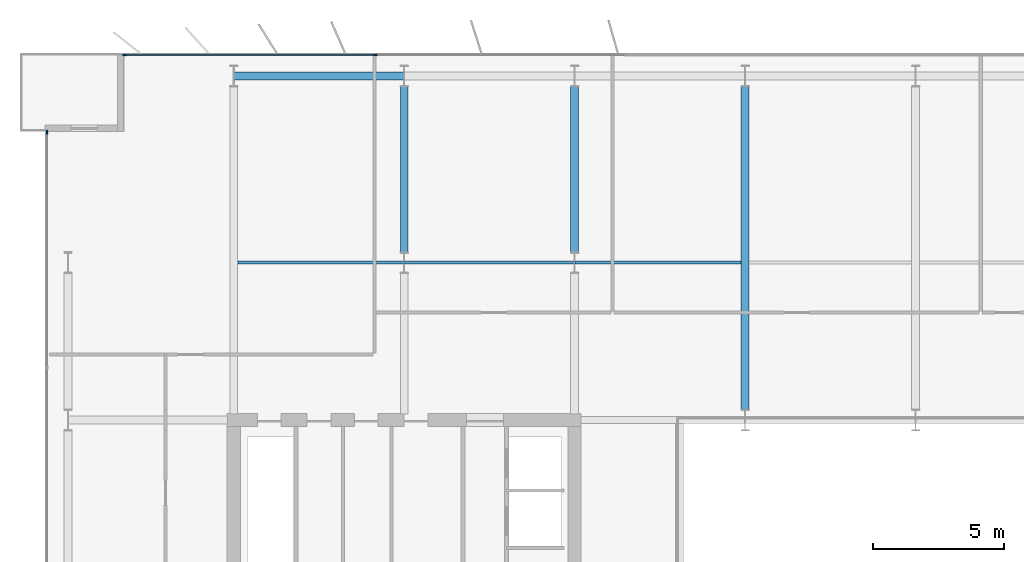
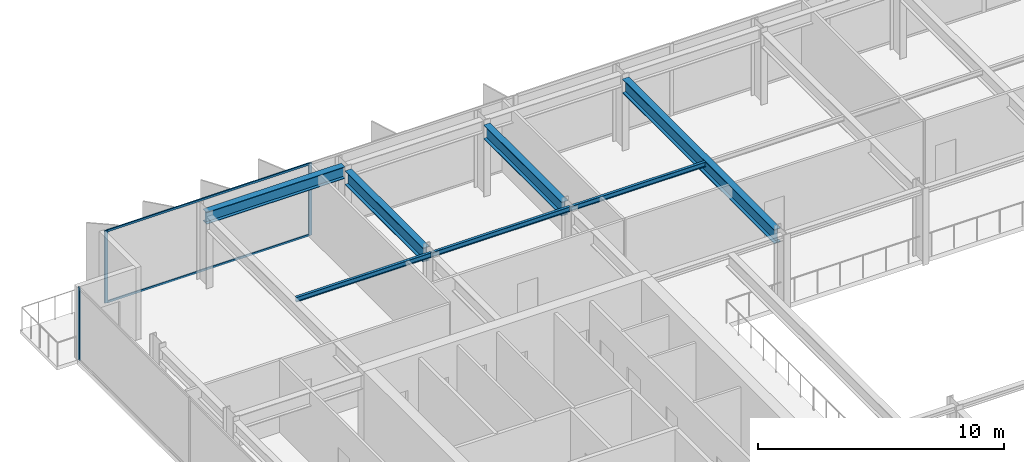
# One storey, part 10 of 23: 7 beams, 5 members, 2 elements without a shape of their own.
"""IFC4 building model written with IfcOpenShell, lengths in metres."""

from ifc_helpers import new_model, si_unit, direction, frame, origin, origin_2d, place, context, subcontext, project, spatial, rectangle, i_section, extrude, material, layer, layer_set, material_profile, profile_set, type_object, element, aggregate, save


model = new_model("IFC4")

# Units and contexts
model_context = context("Model", 3, precision=1e-05, world=origin(), true_north=direction((0.0, 1.0)))
body_context = subcontext(model_context, "Body", "Model", "MODEL_VIEW")
ifc_project = project(units=[si_unit("LENGTHUNIT", "METRE"), si_unit("AREAUNIT", "SQUARE_METRE"), si_unit("VOLUMEUNIT", "CUBIC_METRE"), si_unit("PLANEANGLEUNIT", "RADIAN"), si_unit("MASSUNIT", "GRAM", prefix="KILO")], contexts=[model_context])

# Site, building, storey
site_placement = place(None, origin())
site = spatial("IfcSite", under=ifc_project, at=site_placement, CompositionType="ELEMENT")
building_placement = place(site_placement, origin())
building = spatial("IfcBuilding", under=site, at=building_placement, Name="Putna Gate Headquarters", CompositionType="ELEMENT")
storey_placement = place(building_placement, frame((0.0, 0.0, 221.39990234375)))
storey = spatial("IfcBuildingStorey", under=building, at=storey_placement, Name="L55", CompositionType="ELEMENT", Elevation=221.39990234375)

# Beams
ifc_material_1 = material(Name="Steel S355J2", Category="steel")
ifc_material_profile_1 = material_profile(ifc_material_1, i_section(OverallWidth=0.300048828125, OverallDepth=0.699951171875, WebThickness=0.01708984375, FlangeThickness=0.031982421875, at=origin_2d()), Name="Steel S355J2")
ifc_profile_set_1 = profile_set([ifc_material_profile_1], Name="Steel S355J2")
beam_type_1 = type_object("IfcBeamType", Name="BM-GIRD-B-HEB700", PredefinedType="USERDEFINED", material=ifc_profile_set_1)
for number, where, z_axis, x_axis, name in (
    (1, (19.5, 39.39501953125, 3.22998046875), (0.0, 1.0, 0.0), (-1.0, 0.0, 0.0), "L55 North Primary Girder X19-2"),
    (2, (26.0, 39.39501953125, 3.22998046875), (0.0, 1.0, 0.0), (-1.0, 0.0, 0.0), "L55 North Primary Girder X26-2"),
):
    element("IfcBeam", number, at=place(storey_placement, frame(where, z_axis=z_axis, x_axis=x_axis)), inside=storey, type_object=beam_type_1, Name=name, ObjectType="GIRDER", PredefinedType="USERDEFINED", context=body_context, shape_type="SweptSolid", body=[
        extrude(i_section(OverallWidth=0.300048828125, OverallDepth=0.699951171875, WebThickness=0.01708984375, FlangeThickness=0.031982421875, at=origin_2d()), origin(), (0.0, 0.0, 1.0), 6.330078125),
    ])
beam_1_placement = place(storey_placement, frame((32.5, 33.39501953125, 3.22998046875), z_axis=(0.0, 1.0, 0.0), x_axis=(-1.0, 0.0, 0.0)))
element("IfcBeam", 3, at=beam_1_placement, inside=storey, type_object=beam_type_1, Name="L55 North Primary Girder X32", ObjectType="GIRDER", PredefinedType="USERDEFINED", context=body_context, shape_type="SweptSolid", body=[
    extrude(i_section(OverallWidth=0.300048828125, OverallDepth=0.699951171875, WebThickness=0.01708984375, FlangeThickness=0.031982421875, at=origin_2d()), origin(), (0.0, 0.0, 1.0), 12.330078125),
])
ifc_material_profile_2 = material_profile(ifc_material_1, i_section(OverallWidth=0.1201171875, OverallDepth=0.239990234375, WebThickness=0.006103515625, FlangeThickness=0.009765625, at=origin_2d()), Name="Steel S355J2")
ifc_profile_set_2 = profile_set([ifc_material_profile_2], Name="Steel S355J2")
beam_type_2 = type_object("IfcBeamType", Name="BM-SEC-Z4-IPE240", PredefinedType="JOIST", material=ifc_profile_set_2)
beam_2_placement = place(storey_placement, frame((13.154052734375, 39.0, 3.460205078125), z_axis=(1.0, 0.0, 0.0), x_axis=(0.0, 1.0, 0.0)))
element("IfcBeam", 4, at=beam_2_placement, inside=storey, type_object=beam_type_2, Name="L55 North Secondary Beam 1", PredefinedType="JOIST", context=body_context, shape_type="SweptSolid", body=[
    extrude(i_section(OverallWidth=0.1201171875, OverallDepth=0.239990234375, WebThickness=0.006103515625, FlangeThickness=0.009765625, at=origin_2d()), origin(), (0.0, 0.0, 1.0), 6.33984375),
])
beam_3_placement = place(storey_placement, frame((19.506103515625, 39.0, 3.460205078125), z_axis=(1.0, 0.0, 0.0), x_axis=(0.0, 1.0, 0.0)))
element("IfcBeam", 5, at=beam_3_placement, inside=storey, type_object=beam_type_2, Name="L55 North Secondary Beam 2", PredefinedType="JOIST", context=body_context, shape_type="SweptSolid", body=[
    extrude(i_section(OverallWidth=0.1201171875, OverallDepth=0.239990234375, WebThickness=0.006103515625, FlangeThickness=0.009765625, at=origin_2d()), origin(), (0.0, 0.0, 1.0), 6.48779296875),
])
beam_4_placement = place(storey_placement, frame((26.006103515625, 39.0, 3.460205078125), z_axis=(1.0, 0.0, 0.0), x_axis=(0.0, 1.0, 0.0)))
element("IfcBeam", 6, at=beam_4_placement, inside=storey, type_object=beam_type_2, Name="L55 North Secondary Beam 3", PredefinedType="JOIST", context=body_context, shape_type="SweptSolid", body=[
    extrude(i_section(OverallWidth=0.1201171875, OverallDepth=0.239990234375, WebThickness=0.006103515625, FlangeThickness=0.009765625, at=origin_2d()), origin(), (0.0, 0.0, 1.0), 6.33984375),
])
ifc_material_profile_3 = material_profile(ifc_material_1, i_section(OverallWidth=0.300048828125, OverallDepth=0.590087890625, WebThickness=0.012939453125, FlangeThickness=0.02490234375, at=origin_2d()), Name="Steel S355J2")
ifc_profile_set_3 = profile_set([ifc_material_profile_3], Name="Steel S355J2")
beam_type_3 = type_object("IfcBeamType", Name="BM-SPAN-Z4-HEA600", PredefinedType="SPANDREL", material=ifc_profile_set_3)
beam_5_placement = place(storey_placement, frame((13.006103515625, 46.1201171875, 3.28515625), z_axis=(1.0, 0.0, 0.0), x_axis=(0.0, 1.0, 0.0)))
element("IfcBeam", 7, at=beam_5_placement, inside=storey, type_object=beam_type_3, Name="L55 N Perimeter Spandrel 1", PredefinedType="SPANDREL", context=body_context, shape_type="SweptSolid", body=[
    extrude(i_section(OverallWidth=0.300048828125, OverallDepth=0.590087890625, WebThickness=0.012939453125, FlangeThickness=0.02490234375, at=origin_2d()), origin(), (0.0, 0.0, 1.0), 6.48779296875),
])

# Curtain wall, members
ifc_material_2 = material(Name="Anodised bronze aluminium curtain wall", Category="aluminium")
ifc_layer = layer(ifc_material_2, 0.139892578125)
ifc_layer_set = layer_set([ifc_layer], Name="Anodised bronze aluminium curtain wall")
curtain_wall_type = type_object("IfcCurtainWallType", Name="CW-SYS-Z4", PredefinedType="USERDEFINED", material=ifc_layer_set)
curtain_wall_1_placement = place(storey_placement, origin())
curtain_wall_1 = element("IfcCurtainWall", 8, at=curtain_wall_1_placement, inside=storey, type_object=curtain_wall_type, Name="L55 North West Curtain Wall", ObjectType="STICK CURTAIN WALL", PredefinedType="USERDEFINED")
ifc_material_3 = material(Name="Anodised bronze aluminium EN AW-6060", Category="aluminium")
ifc_material_profile_4 = material_profile(ifc_material_3, rectangle(XDim=0.06005859375, YDim=0.139892578125, at=origin_2d()), Name="Anodised bronze aluminium EN AW-6060")
ifc_profile_set_4 = profile_set([ifc_material_profile_4], Name="Anodised bronze aluminium EN AW-6060")
member_type_1 = type_object("IfcMemberType", Name="MULL-CWM-4", PredefinedType="MULLION", material=ifc_profile_set_4)
member_1_placement = place(storey_placement, frame((8.830078125, 46.919921875, 0.0), z_axis=(0.0, 0.0, 1.0), x_axis=(0.0, 1.0, 0.0)))
member_1 = element("IfcMember", 9, at=member_1_placement, type_object=member_type_1, Name="CWS-4 mullion 1", PredefinedType="MULLION", context=body_context, shape_type="SweptSolid", body=[
    extrude(rectangle(XDim=0.06005859375, YDim=0.139892578125, at=origin_2d()), origin(), (0.0, 0.0, 1.0), 3.580078125),
])
member_2_placement = place(storey_placement, frame((18.39990234375, 46.919921875, 0.0), z_axis=(0.0, 0.0, 1.0), x_axis=(0.0, 1.0, 0.0)))
member_2 = element("IfcMember", 10, at=member_2_placement, type_object=member_type_1, Name="CWS-4 mullion 2", PredefinedType="MULLION", context=body_context, shape_type="SweptSolid", body=[
    extrude(rectangle(XDim=0.06005859375, YDim=0.139892578125, at=origin_2d()), origin(), (0.0, 0.0, 1.0), 3.580078125),
])

# Curtain wall, member
curtain_wall_2_placement = place(storey_placement, origin())
curtain_wall_2 = element("IfcCurtainWall", 11, at=curtain_wall_2_placement, inside=storey, type_object=curtain_wall_type, Name="L55 West Curtain Wall", ObjectType="STICK CURTAIN WALL", PredefinedType="USERDEFINED")
member_3_placement = place(storey_placement, frame((5.8798828125, 43.969970703125, 0.0), z_axis=(0.0, 0.0, 1.0), x_axis=(-1.0, 0.0, 0.0)))
member_3 = element("IfcMember", 12, at=member_3_placement, type_object=member_type_1, Name="CWS-4 mullion 5", PredefinedType="MULLION", context=body_context, shape_type="SweptSolid", body=[
    extrude(rectangle(XDim=0.06005859375, YDim=0.139892578125, at=origin_2d()), origin(), (0.0, 0.0, 1.0), 3.580078125),
])
aggregate(curtain_wall_2, [member_3])

# Member
ifc_material_profile_5 = material_profile(ifc_material_3, rectangle(XDim=0.06005859375, YDim=0.10009765625, at=origin_2d()), Name="Anodised bronze aluminium EN AW-6060")
ifc_profile_set_5 = profile_set([ifc_material_profile_5], Name="Anodised bronze aluminium EN AW-6060")
member_type_2 = type_object("IfcMemberType", Name="TRAN-CWT-4", PredefinedType="USERDEFINED", material=ifc_profile_set_5)
member_4_placement = place(storey_placement, frame((8.860107421875, 46.919921875, 0.030029296875), z_axis=(1.0, 0.0, 0.0), x_axis=(0.0, 1.0, 0.0)))
member_4 = element("IfcMember", 13, at=member_4_placement, type_object=member_type_2, Name="CWS-4 transom 1.1", ObjectType="TRANSOM", PredefinedType="USERDEFINED", context=body_context, shape_type="SweptSolid", body=[
    extrude(rectangle(XDim=0.06005859375, YDim=0.10009765625, at=origin_2d()), origin(), (0.0, 0.0, 1.0), 9.510009765625),
])

member_5_placement = place(storey_placement, frame((8.860107421875, 46.919921875, 3.550048828125), z_axis=(1.0, 0.0, 0.0), x_axis=(0.0, 1.0, 0.0)))
member_5 = element("IfcMember", 14, at=member_5_placement, type_object=member_type_2, Name="CWS-4 transom 1.2", ObjectType="TRANSOM", PredefinedType="USERDEFINED", context=body_context, shape_type="SweptSolid", body=[
    extrude(rectangle(XDim=0.06005859375, YDim=0.10009765625, at=origin_2d()), origin(), (0.0, 0.0, 1.0), 9.510009765625),
])

aggregate(curtain_wall_1, [member_1, member_2, member_4, member_5])

save(model, "model.ifc")
